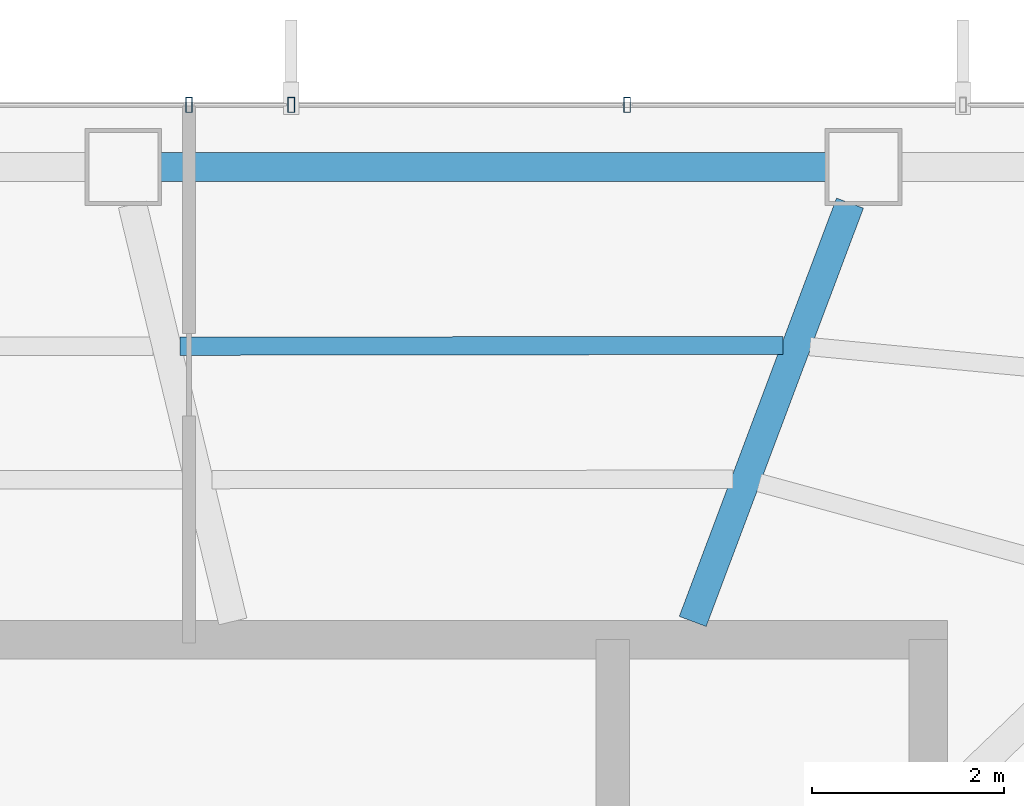
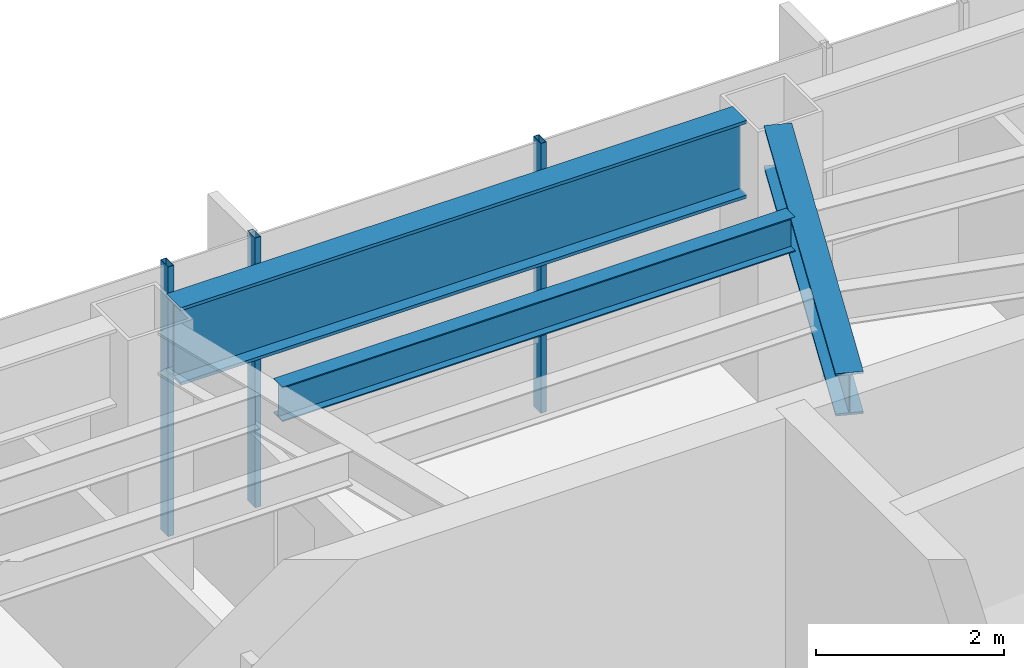
# One storey, part 16 of 28: 3 beams, 3 members, 1 element without a shape of its own.
"""IFC4 building model written with IfcOpenShell, lengths in metres."""

from ifc_helpers import new_model, si_unit, direction, frame, origin, origin_2d, place, context, subcontext, project, spatial, hollow_rectangle, i_section, extrude, material, layer, layer_set, material_profile, profile_set, type_object, element, aggregate, save


model = new_model("IFC4")

# Units and contexts
model_context = context("Model", 3, precision=1e-05, world=origin(), true_north=direction((0.0, 1.0)))
body_context = subcontext(model_context, "Body", "Model", "MODEL_VIEW")
ifc_project = project(units=[si_unit("LENGTHUNIT", "METRE"), si_unit("AREAUNIT", "SQUARE_METRE"), si_unit("VOLUMEUNIT", "CUBIC_METRE"), si_unit("PLANEANGLEUNIT", "RADIAN"), si_unit("MASSUNIT", "GRAM", prefix="KILO")], contexts=[model_context])

# Site, building, storey
site_placement = place(None, origin())
site = spatial("IfcSite", under=ifc_project, at=site_placement, CompositionType="ELEMENT")
building_placement = place(site_placement, origin())
building = spatial("IfcBuilding", under=site, at=building_placement, Name="Zarrinselat Tower", CompositionType="ELEMENT")
storey_placement = place(building_placement, frame((0.0, 0.0, 145.860107421875)))
storey = spatial("IfcBuildingStorey", under=building, at=storey_placement, Name="L35", CompositionType="ELEMENT", Elevation=145.860107421875)

# Beams
ifc_material_1 = material(Name="Steel S355J2", Category="steel")
ifc_material_profile_1 = material_profile(ifc_material_1, i_section(OverallWidth=0.300048828125, OverallDepth=0.550048828125, WebThickness=0.014892578125, FlangeThickness=0.029052734375, at=origin_2d()), Name="HEB 550")
ifc_profile_set_1 = profile_set([ifc_material_profile_1], Name="Steel S355J2")
beam_type_1 = type_object("IfcBeamType", Name="BM-HEB550", PredefinedType="BEAM", material=ifc_profile_set_1)
beam_1_placement = place(storey_placement, frame((45.800048828125, 43.639892578125, 3.224853515625), z_axis=(0.351903216309, 0.936036391574, 0.0), x_axis=(-0.936036391574, 0.351903216309, 0.0)))
element("IfcBeam", 1, at=beam_1_placement, inside=storey, type_object=beam_type_1, Name="L35 Radial Primary Girder RG02", PredefinedType="BEAM", context=body_context, shape_type="SweptSolid", body=[
    extrude(i_section(OverallWidth=0.300048828125, OverallDepth=0.550048828125, WebThickness=0.014892578125, FlangeThickness=0.029052734375, at=origin_2d()), origin(), (0.0, 0.0, 1.0), 4.66552734375),
])
ifc_material_2 = material(Name="Steel S460M", Category="steel")
ifc_material_profile_2 = material_profile(ifc_material_2, i_section(OverallWidth=0.302001953125, OverallDepth=1.008056640625, WebThickness=0.02099609375, FlangeThickness=0.0400390625, at=origin_2d()), Name="HEM 1000")
ifc_profile_set_2 = profile_set([ifc_material_profile_2], Name="Steel S460M")
beam_type_2 = type_object("IfcBeamType", Name="BM-HEM1000", PredefinedType="BEAM", material=ifc_profile_set_2)
beam_2_placement = place(storey_placement, frame((40.245361328125, 48.38330078125, 2.995849609375), z_axis=(1.0, 0.0, 0.0), x_axis=(0.0, 1.0, 0.0)))
element("IfcBeam", 2, at=beam_2_placement, inside=storey, type_object=beam_type_2, Name="L35 Perimeter Spandrel Girder SP02", PredefinedType="BEAM", context=body_context, shape_type="SweptSolid", body=[
    extrude(i_section(OverallWidth=0.302001953125, OverallDepth=1.008056640625, WebThickness=0.02099609375, FlangeThickness=0.0400390625, at=origin_2d()), origin(), (0.0, 0.0, 1.0), 6.9501953125),
])
ifc_material_3 = material(Name="Steel S355J2", Category="steel")
ifc_material_profile_3 = material_profile(ifc_material_3, i_section(OverallWidth=0.18994140625, OverallDepth=0.449951171875, WebThickness=0.009521484375, FlangeThickness=0.0146484375, at=origin_2d()), Name="IPE 450")
ifc_profile_set_3 = profile_set([ifc_material_profile_3], Name="Steel S355J2")
beam_type_3 = type_object("IfcBeamType", Name="BM-IPE450", PredefinedType="JOIST", material=ifc_profile_set_3)
beam_3_placement = place(storey_placement, frame((40.447998046875, 46.512939453125, 3.27490234375), z_axis=(0.999998970631, 0.001434830027, 0.0), x_axis=(-0.001434830027, 0.999998970631, 0.0)))
element("IfcBeam", 3, at=beam_3_placement, inside=storey, type_object=beam_type_3, Name="L35 Composite Floor Joist 7-1", PredefinedType="JOIST", context=body_context, shape_type="SweptSolid", body=[
    extrude(i_section(OverallWidth=0.18994140625, OverallDepth=0.449951171875, WebThickness=0.009521484375, FlangeThickness=0.0146484375, at=origin_2d()), origin(), (0.0, 0.0, 1.0), 6.295654296875),
])

# Curtain wall, members
ifc_material_4 = material(Name="Extruded Aluminium Alloy EN AW-6063 T6", Category="aluminium")
ifc_layer = layer(ifc_material_4, 0.175048828125)
ifc_layer_set = layer_set([ifc_layer], Name="Extruded Aluminium Alloy EN AW-6063 T6")
curtain_wall_type = type_object("IfcCurtainWallType", Name="CWS-HTL", PredefinedType="NOTDEFINED", material=ifc_layer_set)
curtain_wall_placement = place(storey_placement, origin())
curtain_wall = element("IfcCurtainWall", 4, at=curtain_wall_placement, inside=storey, type_object=curtain_wall_type, Name="L35 Unitised Curtain Wall CW-L35-E01", PredefinedType="NOTDEFINED")
ifc_material_5 = material(Name="Extruded Aluminium Alloy EN AW-6063 T6", Category="aluminium")
ifc_material_profile_4 = material_profile(ifc_material_5, hollow_rectangle(XDim=0.070068359375, YDim=0.159912109375, WallThickness=0.00390625, at=origin_2d()), Name="RHS 160x70x4")
ifc_profile_set_4 = profile_set([ifc_material_profile_4], Name="Extruded Aluminium Alloy EN AW-6063 T6")
member_type = type_object("IfcMemberType", Name="MEM-CW-MUL2", PredefinedType="MULLION", material=ifc_profile_set_4)
member_1_placement = place(storey_placement, frame((45.11572265625, 49.033203125, 0.0), z_axis=(0.0, 0.0, 1.0), x_axis=(-1.0, 0.0, 0.0)))
member_1 = element("IfcMember", 5, at=member_1_placement, type_object=member_type, Name="CW-L35-E01 Mullion 4", PredefinedType="MULLION", context=body_context, shape_type="SweptSolid", body=[
    extrude(hollow_rectangle(XDim=0.070068359375, YDim=0.159912109375, WallThickness=0.00390625, at=origin_2d()), origin(), (0.0, 0.0, 1.0), 3.5),
])
member_2_placement = place(storey_placement, frame((41.610107421875, 49.033203125, 0.0), z_axis=(0.0, 0.0, 1.0), x_axis=(-1.0, 0.0, 0.0)))
member_2 = element("IfcMember", 6, at=member_2_placement, type_object=member_type, Name="CW-L35-E01 Mullion 5", PredefinedType="MULLION", context=body_context, shape_type="SweptSolid", body=[
    extrude(hollow_rectangle(XDim=0.070068359375, YDim=0.159912109375, WallThickness=0.00390625, at=origin_2d()), origin(), (0.0, 0.0, 1.0), 3.5),
])
member_3_placement = place(storey_placement, frame((40.5419921875, 49.033203125, 0.0), z_axis=(0.0, 0.0, 1.0), x_axis=(-1.0, 0.0, 0.0)))
member_3 = element("IfcMember", 7, at=member_3_placement, type_object=member_type, Name="CW-L35-E01 Mullion 6", PredefinedType="MULLION", context=body_context, shape_type="SweptSolid", body=[
    extrude(hollow_rectangle(XDim=0.070068359375, YDim=0.159912109375, WallThickness=0.00390625, at=origin_2d()), origin(), (0.0, 0.0, 1.0), 3.5),
])
aggregate(curtain_wall, [member_1, member_2, member_3])

save(model, "model.ifc")
